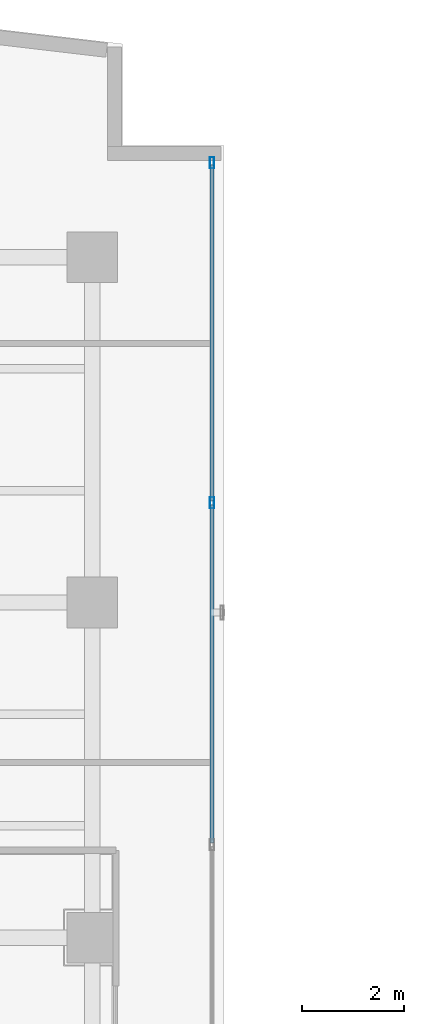
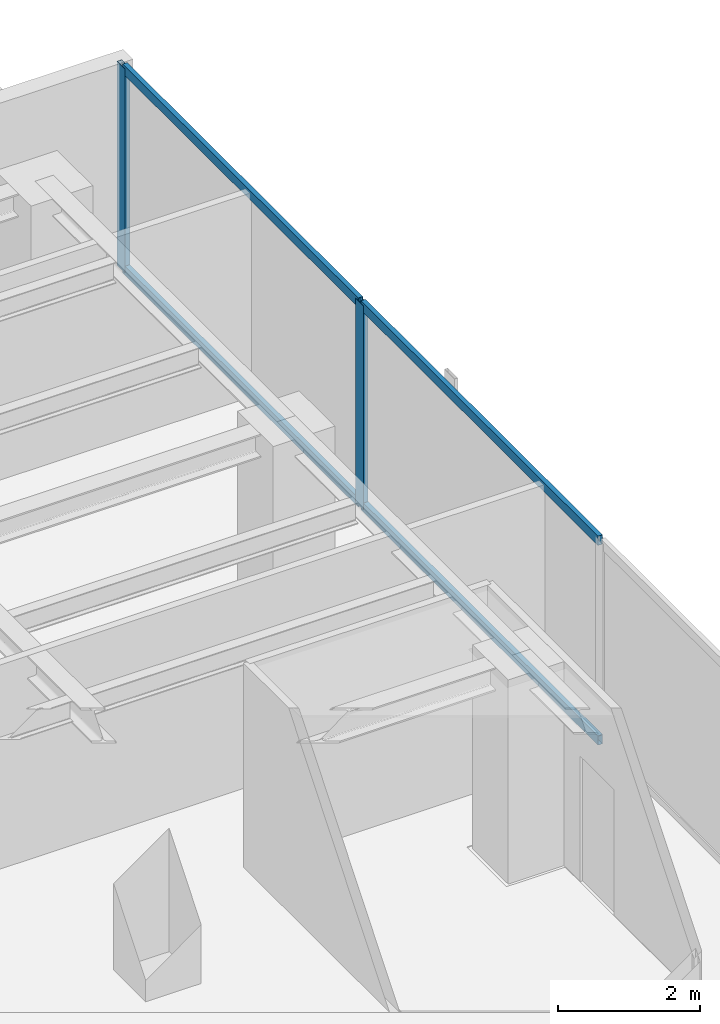
# One storey, part 15 of 22: 6 members, 1 element without a shape of its own.
"""IFC4 building model written with IfcOpenShell, lengths in metres."""

import ifcopenshell
import ifcopenshell.guid

model = None  # the IFC model being written
_history = None  # IfcOwnerHistory: only IFC2X3 demands one
_inside = {}  # id of a spatial element -> (the spatial element, [elements in it])
_under = {}  # id of a project, library or spatial element -> (it, [spatial elements below it])
_declared = {}  # id of a project -> (the project, [libraries it declares])
_typed = {}  # id of a type object -> (the type object, [elements of that type])
_made_of = {}  # id of a material, layer set ... -> (it, [elements and type objects made of it])


def new_model(schema):
    """Start an empty IFC model of exactly this schema.

    Asked for "IFC4X3", IfcOpenShell would pick the latest addendum, in which some entities
    have other attributes; the version numbers below select the first issue.
    IFC2X3 requires an IfcOwnerHistory on every rooted entity: one is made here for all.
    """
    global model, _history
    if schema == "IFC4X3":
        model = ifcopenshell.file(schema_version=(4, 3, 0, 0))
    else:
        model = ifcopenshell.file(schema=schema)
    _inside.clear()
    _under.clear()
    _declared.clear()
    _typed.clear()
    _made_of.clear()
    _history = None
    if model.schema == "IFC2X3":
        org = make("IfcOrganization", Name="unknown")
        user = make(
            "IfcPersonAndOrganization",
            ThePerson=make("IfcPerson", FamilyName="unknown"),
            TheOrganization=org,
        )
        app = make(
            "IfcApplication",
            ApplicationDeveloper=org,
            Version="unknown",
            ApplicationFullName="unknown",
            ApplicationIdentifier="unknown",
        )
        _history = make(
            "IfcOwnerHistory",
            OwningUser=user,
            OwningApplication=app,
            ChangeAction="ADDED",
            CreationDate=0,
        )
    return model


def make(cls, **values):
    """One entity of the class cls with the attributes given. An attribute that is None is left unset."""
    return model.create_entity(
        cls, **{name: value for name, value in values.items() if value is not None}
    )


def rooted(cls, **values):
    """An entity with a GlobalId (a new one), such as an element, a storey or a relation."""
    return make(cls, GlobalId=ifcopenshell.guid.new(), OwnerHistory=_history, **values)


def si_unit(unit_type, name, prefix=None):
    """IfcSIUnit, for example si_unit("LENGTHUNIT", "METRE", prefix="MILLI")."""
    return make("IfcSIUnit", UnitType=unit_type, Prefix=prefix, Name=name)


def assignment(units):
    """IfcUnitAssignment: the units of a project."""
    return None if units is None else make("IfcUnitAssignment", Units=units)


def point(xyz):
    """IfcCartesianPoint."""
    return None if xyz is None else make("IfcCartesianPoint", Coordinates=xyz)


def direction(xyz):
    """IfcDirection."""
    return None if xyz is None else make("IfcDirection", DirectionRatios=xyz)


def frame(location, z_axis=None, x_axis=None):
    """IfcAxis2Placement3D, a coordinate frame: its origin and axes. An axis left out is left unset."""
    return make(
        "IfcAxis2Placement3D",
        Location=point(location),
        Axis=direction(z_axis),
        RefDirection=direction(x_axis),
    )


def frame_2d(location, x_axis=None):
    """IfcAxis2Placement2D, a coordinate frame in the plane: its origin and x axis."""
    return make(
        "IfcAxis2Placement2D", Location=point(location), RefDirection=direction(x_axis)
    )


def origin():
    """The frame at (0, 0, 0) with its axes left unset."""
    return frame((0.0, 0.0, 0.0))


def origin_with_axes():
    """The frame at (0, 0, 0) with the z axis (0, 0, 1) and the x axis (1, 0, 0) written out."""
    return frame((0.0, 0.0, 0.0), z_axis=(0.0, 0.0, 1.0), x_axis=(1.0, 0.0, 0.0))


def origin_2d():
    """The frame at (0, 0) in the plane with its x axis left unset."""
    return frame_2d((0.0, 0.0))


def place(relative_to, where):
    """IfcLocalPlacement: puts the frame where relative to a parent placement (None: the world)."""
    return make(
        "IfcLocalPlacement", PlacementRelTo=relative_to, RelativePlacement=where
    )


def context(
    kind, dimensions, precision=None, world=None, true_north=None, identifier=None
):
    """IfcGeometricRepresentationContext, for example the 3D "Model" context."""
    return make(
        "IfcGeometricRepresentationContext",
        ContextIdentifier=identifier,
        ContextType=kind,
        CoordinateSpaceDimension=dimensions,
        Precision=precision,
        WorldCoordinateSystem=world,
        TrueNorth=true_north,
    )


def subcontext(parent, identifier, kind, view, scale=None):
    """IfcGeometricRepresentationSubContext, for example "Body" below "Model"."""
    return make(
        "IfcGeometricRepresentationSubContext",
        ContextIdentifier=identifier,
        ContextType=kind,
        ParentContext=parent,
        TargetScale=scale,
        TargetView=view,
    )


def project(units=None, contexts=None):
    """IfcProject with its units and contexts."""
    return rooted(
        "IfcProject",
        Name="project",
        RepresentationContexts=contexts,
        UnitsInContext=assignment(units),
    )


def spatial(cls, under=None, at=None, **own):
    """A site, building, storey or space (cls), placed at a placement, below another one or the project."""
    s = rooted(cls, ObjectPlacement=at, **own)
    if under is not None:
        _under.setdefault(under.id(), (under, []))[1].append(s)
    return s


def profile(cls, at=None, kind="AREA", **sizes):
    """A parametric profile (cls). Its sizes go by their IFC names, for example OverallWidth=200.0."""
    return make(cls, ProfileType=kind, Position=at, **sizes)


def hollow_rectangle(**sizes):
    """IfcRectangleHollowProfileDef."""
    return profile("IfcRectangleHollowProfileDef", **sizes)


def extrude(swept, where, along, depth):
    """IfcExtrudedAreaSolid: the profile swept, set in the frame where, extruded along a direction by depth."""
    return make(
        "IfcExtrudedAreaSolid",
        SweptArea=swept,
        Position=where,
        ExtrudedDirection=direction(along),
        Depth=depth,
    )


def shape(context_of_items, identifier, shape_type, items):
    """IfcShapeRepresentation: the items that make up one representation, for example the "Body"."""
    return make(
        "IfcShapeRepresentation",
        ContextOfItems=context_of_items,
        RepresentationIdentifier=identifier,
        RepresentationType=shape_type,
        Items=items,
    )


def source(mapping_origin, context_of_items, identifier, shape_type, items):
    """IfcRepresentationMap: a shape defined once, which mapped items show again and again."""
    return make(
        "IfcRepresentationMap",
        MappingOrigin=mapping_origin,
        MappedRepresentation=shape(context_of_items, identifier, shape_type, items),
    )


def transform(
    local_origin,
    x_axis=None,
    y_axis=None,
    z_axis=None,
    scale=None,
    scale2=None,
    scale3=None,
    uniform=True,
):
    """IfcCartesianTransformationOperator3D, or its non-uniform kind. x_axis, y_axis, z_axis: its Axis1, 2, 3."""
    if uniform:
        return make(
            "IfcCartesianTransformationOperator3D",
            Axis1=direction(x_axis),
            Axis2=direction(y_axis),
            LocalOrigin=point(local_origin),
            Scale=scale,
            Axis3=direction(z_axis),
        )
    return make(
        "IfcCartesianTransformationOperator3DnonUniform",
        Axis1=direction(x_axis),
        Axis2=direction(y_axis),
        LocalOrigin=point(local_origin),
        Scale=scale,
        Axis3=direction(z_axis),
        Scale2=scale2,
        Scale3=scale3,
    )


def mapped(mapping_source, mapping_target):
    """IfcMappedItem: shows the shape of a source again, moved by a transform."""
    return make(
        "IfcMappedItem", MappingSource=mapping_source, MappingTarget=mapping_target
    )


def material(Name=None, Category=None):
    """IfcMaterial."""
    return make("IfcMaterial", Name=Name, Category=Category)


def layer(
    of_material, thickness, ventilated=None, Name=None, Category=None, Priority=None
):
    """IfcMaterialLayer: one layer of a wall or slab, of a material (None: an air gap)."""
    return make(
        "IfcMaterialLayer",
        Material=of_material,
        LayerThickness=thickness,
        IsVentilated=ventilated,
        Name=Name,
        Category=Category,
        Priority=Priority,
    )


def layer_set(layers, Name=None):
    """IfcMaterialLayerSet."""
    return make("IfcMaterialLayerSet", MaterialLayers=layers, LayerSetName=Name)


def material_profile(
    of_material, cross_section, Name=None, Category=None, Priority=None
):
    """IfcMaterialProfile: a cross section and its material."""
    return make(
        "IfcMaterialProfile",
        Name=Name,
        Material=of_material,
        Profile=cross_section,
        Priority=Priority,
        Category=Category,
    )


def profile_set(profiles, Name=None, composite=None):
    """IfcMaterialProfileSet."""
    return make(
        "IfcMaterialProfileSet",
        Name=Name,
        MaterialProfiles=profiles,
        CompositeProfile=composite,
    )


def made_of(thing, what):
    """Note that an element or type object is made of a material, layer set ...; save() writes the relation."""
    if what is not None:
        _made_of.setdefault(what.id(), (what, []))[1].append(thing)
    return thing


def type_object(cls, material=None, **own):
    """A type object (cls), such as IfcWallType, which elements share."""
    return made_of(rooted(cls, **own), material)


def element(
    cls,
    number,
    at=None,
    inside=None,
    cuts=None,
    type_object=None,
    material=None,
    context=None,
    identifier="Body",
    shape_type=None,
    held_by="IfcProductDefinitionShape",
    body=None,
    shapes=None,
    **own,
):
    """One element of the class cls, such as IfcWall. Its Tag is "e" and its number.

    at: its placement. inside: the storey or other place that contains it. cuts: it is an
    opening in that element (IfcRelVoidsElement). A single representation is given by context,
    identifier, shape_type and body (its items); several are given by shapes. held_by: the class
    of the entity that holds the representations. save() writes the other relations.
    """
    e = rooted(cls, Tag="e%d" % number, ObjectPlacement=at, **own)
    if body is not None:
        shapes = [shape(context, identifier, shape_type, body)]
    if shapes is not None:
        e.Representation = make(held_by, Representations=shapes)
    if inside is not None:
        _inside.setdefault(inside.id(), (inside, []))[1].append(e)
    if cuts is not None:
        rooted(
            "IfcRelVoidsElement", RelatingBuildingElement=cuts, RelatedOpeningElement=e
        )
    if type_object is not None:
        _typed.setdefault(type_object.id(), (type_object, []))[1].append(e)
    return made_of(e, material)


def aggregate(whole, parts):
    """IfcRelAggregates: a whole, such as a stair, and the parts it consists of."""
    return rooted("IfcRelAggregates", RelatingObject=whole, RelatedObjects=parts)


def save(model, path):
    """Write the relations noted so far, then the file.

    IfcRelAggregates (storeys below a building ...), IfcRelContainedInSpatialStructure (elements
    in a storey), IfcRelDefinesByType, IfcRelAssociatesMaterial and IfcRelDeclares: one each for
    every whole, place, type object, material and project.
    """
    for whole, parts in _under.values():
        aggregate(whole, parts)
    for where, things in _inside.values():
        rooted(
            "IfcRelContainedInSpatialStructure",
            RelatedElements=things,
            RelatingStructure=where,
        )
    for kind, things in _typed.values():
        rooted("IfcRelDefinesByType", RelatedObjects=things, RelatingType=kind)
    for what, things in _made_of.values():
        rooted("IfcRelAssociatesMaterial", RelatedObjects=things, RelatingMaterial=what)
    for by, libraries in _declared.values():
        rooted("IfcRelDeclares", RelatingContext=by, RelatedDefinitions=libraries)
    model.write(path)


model = new_model("IFC4")

# Units and contexts
model_context = context("Model", 3, precision=1e-05, world=origin(), true_north=direction((0.0, 1.0)))
body_context = subcontext(model_context, "Body", "Model", "MODEL_VIEW")
ifc_project = project(units=[si_unit("LENGTHUNIT", "METRE"), si_unit("AREAUNIT", "SQUARE_METRE"), si_unit("VOLUMEUNIT", "CUBIC_METRE"), si_unit("PLANEANGLEUNIT", "RADIAN"), si_unit("MASSUNIT", "GRAM", prefix="KILO")], contexts=[model_context])

# Site, building, storey
site_placement = place(None, origin())
site = spatial("IfcSite", under=ifc_project, at=site_placement, CompositionType="ELEMENT")
building_placement = place(site_placement, origin())
building = spatial("IfcBuilding", under=site, at=building_placement, Name="Kolvaren Waterfront Exchange", CompositionType="ELEMENT")
storey_placement = place(building_placement, frame((0.0, 0.0, 219.699951171875)))
storey = spatial("IfcBuildingStorey", under=building, at=storey_placement, Name="L56", CompositionType="ELEMENT", Elevation=219.699951171875)

# Curtain wall, members
ifc_material_1 = material(Name="Anodised bronze aluminium 6063-T6", Category="aluminium")
ifc_layer = layer(ifc_material_1, 0.219970703125, Name="Anodised bronze aluminium 6063-T6")
ifc_layer_set = layer_set([ifc_layer], Name="Anodised bronze aluminium 6063-T6")
curtain_wall_type = type_object("IfcCurtainWallType", Name="ARC-CW-SYS1", PredefinedType="USERDEFINED", material=ifc_layer_set)
curtain_wall_placement = place(storey_placement, origin())
curtain_wall = element("IfcCurtainWall", 1, at=curtain_wall_placement, inside=storey, type_object=curtain_wall_type, Name="L56 stick curtain wall CW1 (CW-L56-NE)", ObjectType="STICK CURTAIN WALL", PredefinedType="USERDEFINED")
ifc_material_2 = material(Name="Anodised aluminium 6063-T6", Category="aluminium")
ifc_material_profile_1 = material_profile(ifc_material_2, hollow_rectangle(XDim=0.080078125, YDim=0.219970703125, WallThickness=0.0048828125, at=origin_2d()), Name="ALU-MUL-220x80x5")
ifc_profile_set_1 = profile_set([ifc_material_profile_1], Name="Anodised aluminium 6063-T6")
member_type_1 = type_object("IfcMemberType", Name="ARC-CWM-220", PredefinedType="MULLION", material=ifc_profile_set_1)
shared_shape_1 = source(origin_with_axes(), body_context, "Body", "SweptSolid", [
    extrude(hollow_rectangle(XDim=0.080078125, YDim=0.219970703125, WallThickness=0.0048828125, at=origin_2d()), origin(), (0.0, 0.0, 1.0), 3.5),
])
member_1_placement = place(storey_placement, frame((21.159912109375, 39.763427734375, 0.0), z_axis=(0.0, 0.0, 1.0), x_axis=(-1.0, 0.0, 0.0)))
member_1 = element("IfcMember", 2, at=member_1_placement, type_object=member_type_1, Name="CW1 mullion 3", PredefinedType="MULLION", context=body_context, shape_type="MappedRepresentation", body=[
    mapped(shared_shape_1, transform((0.0, 0.0, 0.0), x_axis=(1.0, 0.0, 0.0), y_axis=(0.0, 1.0, 0.0), z_axis=(0.0, 0.0, 1.0), scale=1.0)),
])
member_2_placement = place(storey_placement, frame((21.159912109375, 46.4599609375, 0.0), z_axis=(0.0, 0.0, 1.0), x_axis=(-1.0, 0.0, 0.0)))
member_2 = element("IfcMember", 3, at=member_2_placement, type_object=member_type_1, Name="CW1 mullion 4", PredefinedType="MULLION", context=body_context, shape_type="MappedRepresentation", body=[
    mapped(shared_shape_1, transform((0.0, 0.0, 0.0), x_axis=(1.0, 0.0, 0.0), y_axis=(0.0, 1.0, 0.0), z_axis=(0.0, 0.0, 1.0), scale=1.0)),
])
ifc_material_profile_2 = material_profile(ifc_material_2, hollow_rectangle(XDim=0.074951171875, YDim=0.159912109375, WallThickness=0.00439453125, at=origin_2d()), Name="ALU-TRN-160x75x4.5")
ifc_profile_set_2 = profile_set([ifc_material_profile_2], Name="Anodised aluminium 6063-T6")
member_type_2 = type_object("IfcMemberType", Name="ARC-CWT-160", PredefinedType="USERDEFINED", material=ifc_profile_set_2)
shared_shape_2 = source(origin_with_axes(), body_context, "Body", "SweptSolid", [
    extrude(hollow_rectangle(XDim=0.074951171875, YDim=0.159912109375, WallThickness=0.00439453125, at=origin_2d()), origin(), (0.0, 0.0, 1.0), 6.65673828125),
])
member_3_placement = place(storey_placement, frame((21.159912109375, 33.066650390625, 0.03759765625), z_axis=(0.0, 1.0, 0.0), x_axis=(-1.0, 0.0, 0.0)))
member_3 = element("IfcMember", 4, at=member_3_placement, type_object=member_type_2, Name="CW1 transom 2.1", ObjectType="TRANSOM", PredefinedType="USERDEFINED", context=body_context, shape_type="MappedRepresentation", body=[
    mapped(shared_shape_2, transform((0.0, 0.0, 0.0), x_axis=(1.0, 0.0, 0.0), y_axis=(0.0, 1.0, 0.0), z_axis=(0.0, 0.0, 1.0), scale=1.0)),
])
member_4_placement = place(storey_placement, frame((21.159912109375, 33.066650390625, 3.462646484375), z_axis=(0.0, 1.0, 0.0), x_axis=(-1.0, 0.0, 0.0)))
member_4 = element("IfcMember", 5, at=member_4_placement, type_object=member_type_2, Name="CW1 transom 2.2", ObjectType="TRANSOM", PredefinedType="USERDEFINED", context=body_context, shape_type="MappedRepresentation", body=[
    mapped(shared_shape_2, transform((0.0, 0.0, 0.0), x_axis=(1.0, 0.0, 0.0), y_axis=(0.0, 1.0, 0.0), z_axis=(0.0, 0.0, 1.0), scale=1.0)),
])
shared_shape_3 = source(origin_with_axes(), body_context, "Body", "SweptSolid", [
    extrude(hollow_rectangle(XDim=0.074951171875, YDim=0.159912109375, WallThickness=0.00439453125, at=origin_2d()), origin(), (0.0, 0.0, 1.0), 6.61669921875),
])
member_5_placement = place(storey_placement, frame((21.159912109375, 39.80322265625, 0.03759765625), z_axis=(0.0, 1.0, 0.0), x_axis=(-1.0, 0.0, 0.0)))
member_5 = element("IfcMember", 6, at=member_5_placement, type_object=member_type_2, Name="CW1 transom 3.1", ObjectType="TRANSOM", PredefinedType="USERDEFINED", context=body_context, shape_type="MappedRepresentation", body=[
    mapped(shared_shape_3, transform((0.0, 0.0, 0.0), x_axis=(1.0, 0.0, 0.0), y_axis=(0.0, 1.0, 0.0), z_axis=(0.0, 0.0, 1.0), scale=1.0)),
])
member_6_placement = place(storey_placement, frame((21.159912109375, 39.80322265625, 3.462646484375), z_axis=(0.0, 1.0, 0.0), x_axis=(-1.0, 0.0, 0.0)))
member_6 = element("IfcMember", 7, at=member_6_placement, type_object=member_type_2, Name="CW1 transom 3.2", ObjectType="TRANSOM", PredefinedType="USERDEFINED", context=body_context, shape_type="MappedRepresentation", body=[
    mapped(shared_shape_3, transform((0.0, 0.0, 0.0), x_axis=(1.0, 0.0, 0.0), y_axis=(0.0, 1.0, 0.0), z_axis=(0.0, 0.0, 1.0), scale=1.0)),
])
aggregate(curtain_wall, [member_1, member_2, member_3, member_4, member_5, member_6])

save(model, "model.ifc")
